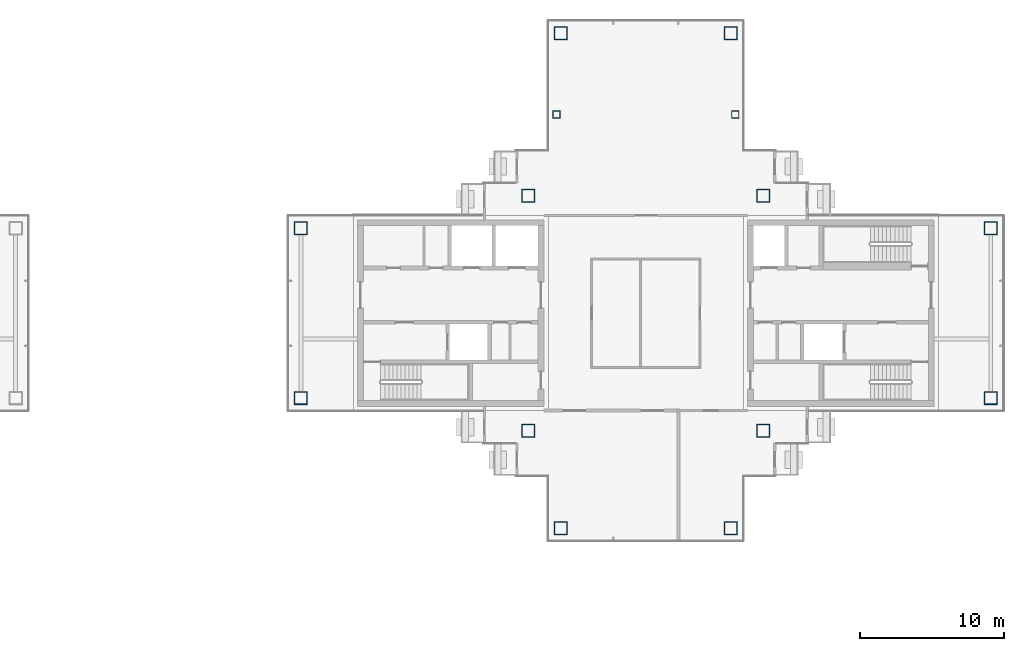
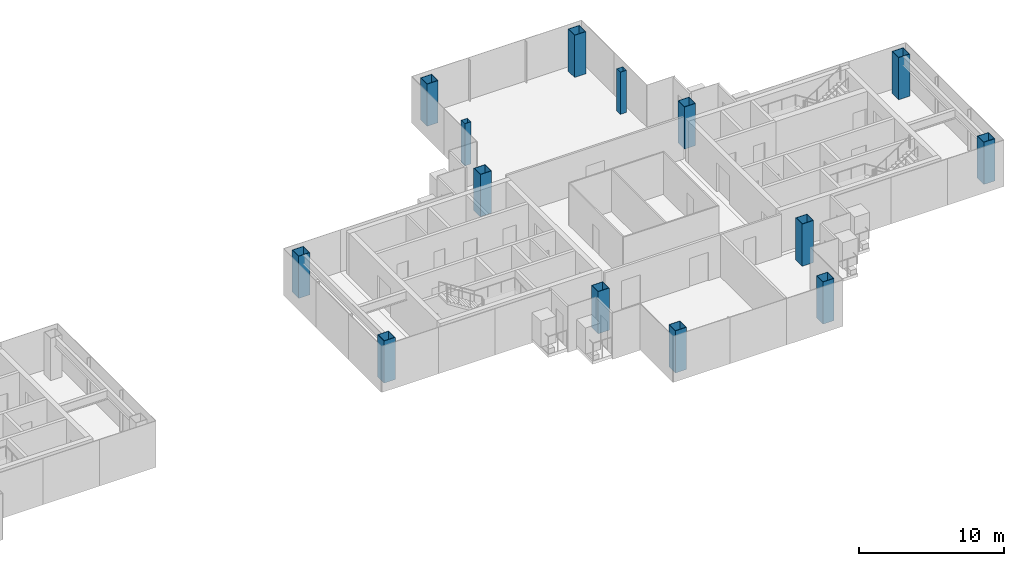
# One storey, part 2 of 16: 14 columns.
"""IFC4 building model written with IfcOpenShell, lengths in metres."""

from ifc_helpers import new_model, si_unit, direction, frame, origin, origin_2d, place, context, subcontext, project, spatial, hollow_rectangle, extrude, material, material_profile, profile_set, type_object, element, save


model = new_model("IFC4")

# Units and contexts
model_context = context("Model", 3, precision=1e-05, world=origin(), true_north=direction((0.0, 1.0)))
body_context = subcontext(model_context, "Body", "Model", "MODEL_VIEW")
ifc_project = project(units=[si_unit("LENGTHUNIT", "METRE"), si_unit("AREAUNIT", "SQUARE_METRE"), si_unit("VOLUMEUNIT", "CUBIC_METRE"), si_unit("PLANEANGLEUNIT", "RADIAN"), si_unit("MASSUNIT", "GRAM", prefix="KILO")], contexts=[model_context])

# Site, building, storey
site_placement = place(None, origin())
site = spatial("IfcSite", under=ifc_project, at=site_placement, CompositionType="ELEMENT")
building_placement = place(site_placement, origin())
building = spatial("IfcBuilding", under=site, at=building_placement, Name="Shamsa Quay Exchange Towers", CompositionType="ELEMENT")
storey_placement = place(building_placement, frame((0.0, 0.0, 242.10009765625)))
storey = spatial("IfcBuildingStorey", under=building, at=storey_placement, Name="L58", CompositionType="ELEMENT", Elevation=242.10009765625)

# Columns
ifc_material_1 = material(Name="Concrete-filled steel tube S355 / C60/75", Category="concrete")
ifc_material_profile_1 = material_profile(ifc_material_1, hollow_rectangle(XDim=0.5, YDim=0.5, WallThickness=0.01611328125, at=origin_2d()), Name="CFT 500x500x16")
ifc_profile_set_1 = profile_set([ifc_material_profile_1], Name="Concrete-filled steel tube S355 / C60/75")
column_type_1 = type_object("IfcColumnType", Name="Column CFT 500x500x16", PredefinedType="COLUMN", material=ifc_profile_set_1)
for number, where, name in (
    (1, (39.9375, 13.75, 0.0), "Perimeter column T2-CP05"),
    (2, (27.5625, 13.75, 0.0), "Perimeter column T2-CP09"),
):
    element("IfcColumn", number, at=place(storey_placement, frame(where)), inside=storey, type_object=column_type_1, Name=name, PredefinedType="COLUMN", context=body_context, shape_type="SweptSolid", body=[
        extrude(hollow_rectangle(XDim=0.5, YDim=0.5, WallThickness=0.01611328125, at=origin_2d()), origin(), (0.0, 0.0, 1.0), 3.5498046875),
    ])
ifc_material_2 = material(Name="Concrete-filled steel tube S355 / C80/95", Category="concrete")
ifc_material_profile_2 = material_profile(ifc_material_2, hollow_rectangle(XDim=0.89990234375, YDim=0.89990234375, WallThickness=0.035888671875, at=origin_2d()), Name="CFT 900x900x36")
ifc_profile_set_2 = profile_set([ifc_material_profile_2], Name="Concrete-filled steel tube S355 / C80/95")
column_type_2 = type_object("IfcColumnType", Name="Column CFT 900x900x36", PredefinedType="COLUMN", material=ifc_profile_set_2)
for number, where, name in (
    (3, (25.625, 8.125, 0.0), "Mega column T2-CM01"),
    (4, (41.875, 8.125, 0.0), "Mega column T2-CM02"),
    (5, (25.625, -8.125, 0.0), "Mega column T2-CM03"),
    (6, (41.875, -8.125, 0.0), "Mega column T2-CM04"),
    (7, (39.625, 19.375, 0.0), "Mega column T2-CM06"),
    (8, (27.875, 19.375, 0.0), "Mega column T2-CM10"),
    (9, (39.625, -14.875, 0.0), "Mega column T2-CM13"),
    (10, (27.875, -14.875, 0.0), "Mega column T2-CM16"),
    (11, (9.875, -5.875, 0.0), "Mega column T2-CM19"),
    (12, (9.875, 5.875, 0.0), "Mega column T2-CM20"),
    (13, (57.625, -5.875, 0.0), "Mega column T2-CM21"),
    (14, (57.625, 5.875, 0.0), "Mega column T2-CM23"),
):
    element("IfcColumn", number, at=place(storey_placement, frame(where)), inside=storey, type_object=column_type_2, Name=name, PredefinedType="COLUMN", context=body_context, shape_type="SweptSolid", body=[
        extrude(hollow_rectangle(XDim=0.89990234375, YDim=0.89990234375, WallThickness=0.035888671875, at=origin_2d()), origin(), (0.0, 0.0, 1.0), 3.5498046875),
    ])

save(model, "model.ifc")
